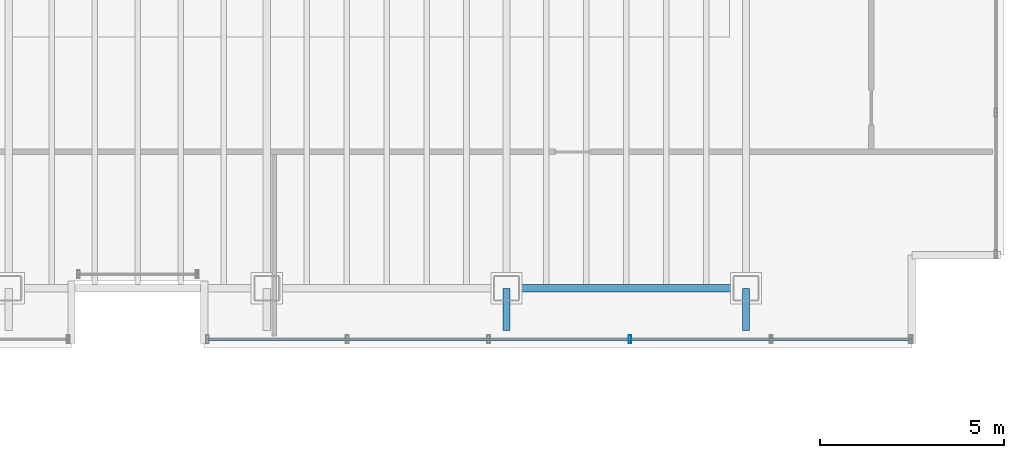
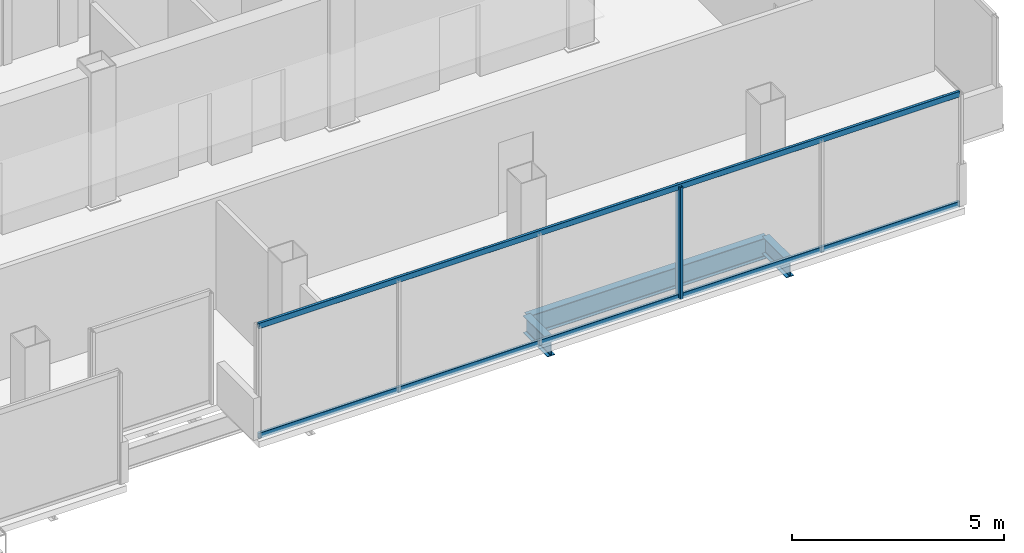
# One storey, part 7 of 17: 3 beams, 3 members, 1 element without a shape of its own.
"""IFC4 building model written with IfcOpenShell, lengths in metres."""

from ifc_helpers import new_model, si_unit, direction, frame, origin, origin_2d, place, context, subcontext, project, spatial, hollow_rectangle, i_section, extrude, material, material_profile, profile_set, type_object, element, aggregate, save


model = new_model("IFC4")

# Units and contexts
model_context = context("Model", 3, precision=1e-05, world=origin(), true_north=direction((0.0, 1.0)))
body_context = subcontext(model_context, "Body", "Model", "MODEL_VIEW")
ifc_project = project(units=[si_unit("LENGTHUNIT", "METRE"), si_unit("AREAUNIT", "SQUARE_METRE"), si_unit("VOLUMEUNIT", "CUBIC_METRE"), si_unit("PLANEANGLEUNIT", "RADIAN"), si_unit("MASSUNIT", "GRAM", prefix="KILO")], contexts=[model_context])

# Site, building, storey
site_placement = place(None, origin())
site = spatial("IfcSite", under=ifc_project, at=site_placement, CompositionType="ELEMENT")
building_placement = place(site_placement, origin())
building = spatial("IfcBuilding", under=site, at=building_placement, Name="Noeulbin Bourse Tower", CompositionType="ELEMENT")
storey_placement = place(building_placement, frame((0.0, 0.0, 285.199951171875)))
storey = spatial("IfcBuildingStorey", under=building, at=storey_placement, Name="L71", CompositionType="ELEMENT", Elevation=285.199951171875)

# Beams
ifc_material_1 = material(Name="Steel S355", Category="steel")
ifc_material_profile_1 = material_profile(ifc_material_1, i_section(OverallWidth=0.199951171875, OverallDepth=0.5, WebThickness=0.010009765625, FlangeThickness=0.01611328125, FilletRadius=0.02001953125, at=origin_2d()), Name="H-500x200x10x16", Category="LoadBearing")
ifc_profile_set_1 = profile_set([ifc_material_profile_1], Name="Steel S355")
beam_type_1 = type_object("IfcBeamType", Name="BM-GRD-500", PredefinedType="USERDEFINED", material=ifc_profile_set_1)
for number, where, z_axis, x_axis, name in (
    (1, (37.5, 18.85009765625, -0.429931640625), (0.0, 1.0, 0.0), (-1.0, 0.0, 0.0), "Tower Primary Girder NS L71-4.1"),
    (2, (44.0, 18.85009765625, -0.429931640625), (0.0, 1.0, 0.0), (-1.0, 0.0, 0.0), "Tower Primary Girder NS L71-5.1"),
):
    element("IfcBeam", number, at=place(storey_placement, frame(where, z_axis=z_axis, x_axis=x_axis)), inside=storey, type_object=beam_type_1, Name=name, ObjectType="GIRDER", PredefinedType="USERDEFINED", context=body_context, shape_type="SweptSolid", body=[
        extrude(i_section(OverallWidth=0.199951171875, OverallDepth=0.5, WebThickness=0.010009765625, FlangeThickness=0.01611328125, FilletRadius=0.02001953125, at=origin_2d()), origin(), (0.0, 0.0, 1.0), 1.14990234375),
    ])
ifc_material_profile_2 = material_profile(ifc_material_1, i_section(OverallWidth=0.199951171875, OverallDepth=0.60009765625, WebThickness=0.010986328125, FlangeThickness=0.01708984375, FilletRadius=0.02197265625, at=origin_2d()), Name="H-600x200x11x17", Category="LoadBearing")
ifc_profile_set_2 = profile_set([ifc_material_profile_2], Name="Steel S355")
beam_type_2 = type_object("IfcBeamType", Name="BM-GRD-600", PredefinedType="USERDEFINED", material=ifc_profile_set_2)
beam_placement = place(storey_placement, frame((37.5, 20.0, -0.47998046875), z_axis=(1.0, 0.0, 0.0), x_axis=(0.0, 1.0, 0.0)))
element("IfcBeam", 3, at=beam_placement, inside=storey, type_object=beam_type_2, Name="Tower Primary Girder EW L71-1.3", ObjectType="GIRDER", PredefinedType="USERDEFINED", context=body_context, shape_type="SweptSolid", body=[
    extrude(i_section(OverallWidth=0.199951171875, OverallDepth=0.60009765625, WebThickness=0.010986328125, FlangeThickness=0.01708984375, FilletRadius=0.02197265625, at=origin_2d()), origin(), (0.0, 0.0, 1.0), 6.5),
])

# Curtain wall, members
ifc_material_2 = material(Name="High-Selectivity Low-Iron Glazing", Category="glass")
curtain_wall_type = type_object("IfcCurtainWallType", Name="CW-SYS-4", PredefinedType="NOTDEFINED", material=ifc_material_2)
curtain_wall_placement = place(storey_placement, origin())
curtain_wall = element("IfcCurtainWall", 4, at=curtain_wall_placement, inside=storey, type_object=curtain_wall_type, Name="Unitised Curtain Wall CW-L71-S3", PredefinedType="NOTDEFINED")
ifc_material_3 = material(Name="Anodised Aluminium 6063-T6", Category="aluminium")
ifc_material_profile_3 = material_profile(ifc_material_3, hollow_rectangle(XDim=0.074951171875, YDim=0.219970703125, WallThickness=0.0048828125, InnerFilletRadius=0.00244140625, OuterFilletRadius=0.0048828125, at=origin_2d()), Name="ALU-MULL-75x220x5", Category="LoadBearing")
ifc_profile_set_3 = profile_set([ifc_material_profile_3], Name="Anodised Aluminium 6063-T6")
member_type_1 = type_object("IfcMemberType", Name="CW-SYS-4-MUL", PredefinedType="MULLION", material=ifc_profile_set_3)
member_1_placement = place(storey_placement, frame((40.85205078125, 18.6201171875, -0.02001953125), z_axis=(0.0, 0.0, 1.0), x_axis=(1.0, 0.0, 0.0)))
member_1 = element("IfcMember", 5, at=member_1_placement, type_object=member_type_1, Name="Curtain Wall Mullion CW-L71-S3-M03", PredefinedType="MULLION", context=body_context, shape_type="SweptSolid", body=[
    extrude(hollow_rectangle(XDim=0.074951171875, YDim=0.219970703125, WallThickness=0.0048828125, InnerFilletRadius=0.00244140625, OuterFilletRadius=0.0048828125, at=origin_2d()), origin(), (0.0, 0.0, 1.0), 3.219970703125),
])
ifc_material_profile_4 = material_profile(ifc_material_3, hollow_rectangle(XDim=0.074951171875, YDim=0.159912109375, WallThickness=0.0048828125, InnerFilletRadius=0.00244140625, OuterFilletRadius=0.0048828125, at=origin_2d()), Name="ALU-TRAN-75x160x5", Category="LoadBearing")
ifc_profile_set_4 = profile_set([ifc_material_profile_4], Name="Anodised Aluminium 6063-T6")
member_type_2 = type_object("IfcMemberType", Name="CW-SYS-4-TRN", PredefinedType="USERDEFINED", material=ifc_profile_set_4)
member_2_placement = place(storey_placement, frame((29.39990234375, 18.6201171875, 0.010009765625), z_axis=(1.0, 0.0, 0.0), x_axis=(0.0, 1.0, 0.0)))
member_2 = element("IfcMember", 6, at=member_2_placement, type_object=member_type_2, Name="Curtain Wall Transom CW-L71-S3-T00", ObjectType="TRANSOM", PredefinedType="USERDEFINED", context=body_context, shape_type="SweptSolid", body=[
    extrude(hollow_rectangle(XDim=0.074951171875, YDim=0.159912109375, WallThickness=0.0048828125, InnerFilletRadius=0.00244140625, OuterFilletRadius=0.0048828125, at=origin_2d()), origin(), (0.0, 0.0, 1.0), 19.070068359375),
])
member_3_placement = place(storey_placement, frame((29.39990234375, 18.6201171875, 3.170166015625), z_axis=(1.0, 0.0, 0.0), x_axis=(0.0, 1.0, 0.0)))
member_3 = element("IfcMember", 7, at=member_3_placement, type_object=member_type_2, Name="Curtain Wall Transom CW-L71-S3-T01", ObjectType="TRANSOM", PredefinedType="USERDEFINED", context=body_context, shape_type="SweptSolid", body=[
    extrude(hollow_rectangle(XDim=0.074951171875, YDim=0.159912109375, WallThickness=0.0048828125, InnerFilletRadius=0.00244140625, OuterFilletRadius=0.0048828125, at=origin_2d()), origin(), (0.0, 0.0, 1.0), 19.070068359375),
])
aggregate(curtain_wall, [member_1, member_2, member_3])

save(model, "model.ifc")
